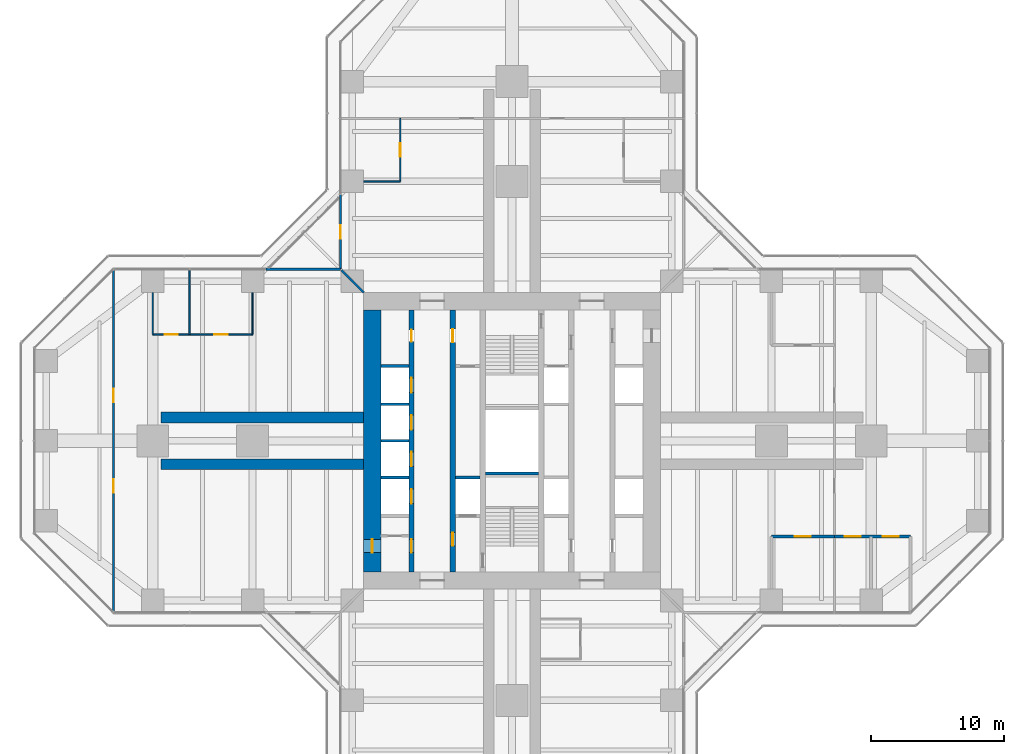
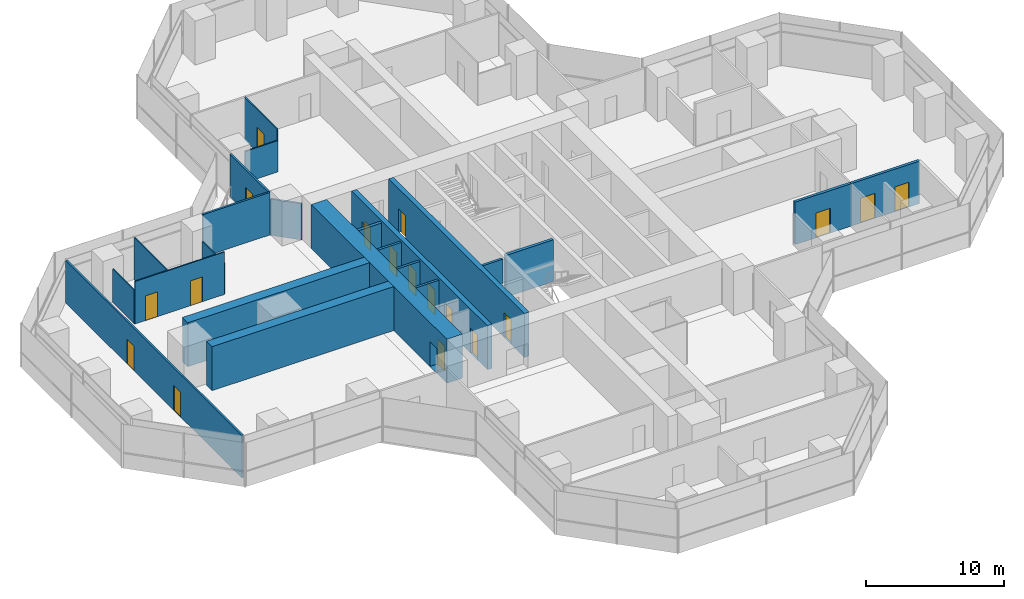
# One storey, part 18 of 22: 23 walls, 18 doors, 18 openings.
"""IFC4 building model written with IfcOpenShell, lengths in metres."""

from ifc_helpers import new_model, si_unit, direction, frame, frame_2d, origin, place, context, subcontext, project, spatial, rectangle, extrude, material, layer, layer_set, type_object, element, fill, save


model = new_model("IFC4")

# Units and contexts
model_context = context("Model", 3, precision=1e-05, world=origin(), true_north=direction((0.0, 1.0)))
body_context = subcontext(model_context, "Body", "Model", "MODEL_VIEW")
ifc_project = project(units=[si_unit("LENGTHUNIT", "METRE"), si_unit("AREAUNIT", "SQUARE_METRE"), si_unit("VOLUMEUNIT", "CUBIC_METRE"), si_unit("PLANEANGLEUNIT", "RADIAN"), si_unit("MASSUNIT", "GRAM", prefix="KILO")], contexts=[model_context])

# Site, building, storey
site_placement = place(None, origin())
site = spatial("IfcSite", under=ifc_project, at=site_placement, CompositionType="ELEMENT")
building_placement = place(site_placement, origin())
building = spatial("IfcBuilding", under=site, at=building_placement, Name="Mizan Broadcast Tower", CompositionType="ELEMENT")
storey_placement = place(building_placement, frame((0.0, 0.0, 86.39990234375)))
storey = spatial("IfcBuildingStorey", under=building, at=storey_placement, Name="L18", CompositionType="ELEMENT", Elevation=86.39990234375)

# Wall, openings, doors
ifc_material_1 = material(Name="Concrete C70/85", Category="concrete")
ifc_layer_1 = layer(ifc_material_1, 0.39990234375)
ifc_layer_set_1 = layer_set([ifc_layer_1], Name="Concrete C70/85")
wall_type_1 = type_object("IfcWallType", Name="CORE INTERNAL WALL 400", PredefinedType="SHEAR", material=ifc_layer_set_1)
wall_1_placement = place(storey_placement, frame((-7.550048828125, -9.85009765625, 0.0), z_axis=(0.0, 0.0, 1.0), x_axis=(0.0, 1.0, 0.0)))
wall_1 = element("IfcWall", 1, at=wall_1_placement, inside=storey, type_object=wall_type_1, Name="Core wall CORE/XW1", PredefinedType="SHEAR", context=body_context, shape_type="SweptSolid", body=[
    extrude(rectangle(XDim=19.7001953125, YDim=0.39990234375, at=frame_2d((9.85009765625, 0.0))), origin(), (0.0, 0.0, 1.0), 3.900146484375),
])
opening_1_placement = place(wall_1_placement, frame((1.449951171875, 0.0, 0.0)))
opening_1 = element("IfcOpeningElement", 2, at=opening_1_placement, cuts=wall_1, Name="Opening D10F", PredefinedType="OPENING", context=body_context, shape_type="SweptSolid", body=[
    extrude(rectangle(XDim=1.0, YDim=2.199951171875, at=frame_2d((0.5, 1.10009765625))), frame((0.0, 0.2099609375, 0.0), z_axis=(0.0, -1.0, 0.0), x_axis=(1.0, 0.0, 0.0)), (0.0, 0.0, 1.0), 0.419921875),
])
opening_2_placement = place(wall_1_placement, frame((17.300048828125, 0.0, 0.0)))
opening_2 = element("IfcOpeningElement", 3, at=opening_2_placement, cuts=wall_1, Name="Opening D09", PredefinedType="OPENING", context=body_context, shape_type="SweptSolid", body=[
    extrude(rectangle(XDim=0.89990234375, YDim=2.10009765625, at=frame_2d((0.449951171875, 1.050048828125))), frame((0.0, 0.2099609375, 0.0), z_axis=(0.0, -1.0, 0.0), x_axis=(1.0, 0.0, 0.0)), (0.0, 0.0, 1.0), 0.419921875),
])
opening_3_placement = place(wall_1_placement, frame((5.125, 0.0, 0.0)))
opening_3 = element("IfcOpeningElement", 4, at=opening_3_placement, cuts=wall_1, Name="Opening LD", PredefinedType="OPENING", context=body_context, shape_type="SweptSolid", body=[
    extrude(rectangle(XDim=1.10009765625, YDim=2.199951171875, at=frame_2d((0.550048828125, 1.10009765625))), frame((0.0, 0.2099609375, 0.0), z_axis=(0.0, -1.0, 0.0), x_axis=(1.0, 0.0, 0.0)), (0.0, 0.0, 1.0), 0.419921875),
])
opening_4_placement = place(wall_1_placement, frame((7.925048828125, 0.0, 0.0)))
opening_4 = element("IfcOpeningElement", 5, at=opening_4_placement, cuts=wall_1, Name="Opening LD", PredefinedType="OPENING", context=body_context, shape_type="SweptSolid", body=[
    extrude(rectangle(XDim=1.10009765625, YDim=2.199951171875, at=frame_2d((0.550048828125, 1.10009765625))), frame((0.0, 0.2099609375, 0.0), z_axis=(0.0, -1.0, 0.0), x_axis=(1.0, 0.0, 0.0)), (0.0, 0.0, 1.0), 0.419921875),
])
opening_5_placement = place(wall_1_placement, frame((10.675048828125, 0.0, 0.0)))
opening_5 = element("IfcOpeningElement", 6, at=opening_5_placement, cuts=wall_1, Name="Opening LD", PredefinedType="OPENING", context=body_context, shape_type="SweptSolid", body=[
    extrude(rectangle(XDim=1.10009765625, YDim=2.199951171875, at=frame_2d((0.550048828125, 1.10009765625))), frame((0.0, 0.2099609375, 0.0), z_axis=(0.0, -1.0, 0.0), x_axis=(1.0, 0.0, 0.0)), (0.0, 0.0, 1.0), 0.419921875),
])
opening_6_placement = place(wall_1_placement, frame((13.47509765625, 0.0, 0.0)))
opening_6 = element("IfcOpeningElement", 7, at=opening_6_placement, cuts=wall_1, Name="Opening LD", PredefinedType="OPENING", context=body_context, shape_type="SweptSolid", body=[
    extrude(rectangle(XDim=1.10009765625, YDim=2.199951171875, at=frame_2d((0.550048828125, 1.10009765625))), frame((0.0, 0.2099609375, 0.0), z_axis=(0.0, -1.0, 0.0), x_axis=(1.0, 0.0, 0.0)), (0.0, 0.0, 1.0), 0.419921875),
])
ifc_material_2 = material(Name="Steel door leaf in steel frame", Category="steel")
door_type_1 = type_object("IfcDoorType", Name="FIRE DOOR 1000 FD90", OperationType="SINGLE_SWING_LEFT", PredefinedType="DOOR", material=ifc_material_2)
door_1_placement = place(opening_1_placement, origin())
door_1 = element("IfcDoor", 8, at=door_1_placement, inside=storey, type_object=door_type_1, Name="West core passage door", OperationType="SINGLE_SWING_LEFT", OverallHeight=2.199951171875, OverallWidth=1.0, PredefinedType="DOOR", context=body_context, shape_type="SweptSolid", body=[
    extrude(rectangle(XDim=1.0, YDim=2.199951171875, at=frame_2d((0.5, 1.10009765625))), frame((0.0, 0.02490234375, 0.0), z_axis=(0.0, -1.0, 0.0), x_axis=(1.0, 0.0, 0.0)), (0.0, 0.0, 1.0), 0.050048828125),
])
fill(opening_1, door_1)
ifc_material_3 = material(Name="Steel door leaf in steel frame", Category="steel")
door_type_2 = type_object("IfcDoorType", Name="LIFT LANDING DOOR 1100", OperationType="SLIDING_TO_LEFT", PredefinedType="DOOR", material=ifc_material_3)
door_2_placement = place(opening_3_placement, origin())
door_2 = element("IfcDoor", 9, at=door_2_placement, inside=storey, type_object=door_type_2, Name="Landing door LA1", OperationType="SLIDING_TO_LEFT", OverallHeight=2.199951171875, OverallWidth=1.10009765625, PredefinedType="DOOR", context=body_context, shape_type="SweptSolid", body=[
    extrude(rectangle(XDim=1.10009765625, YDim=2.199951171875, at=frame_2d((0.550048828125, 1.10009765625))), frame((0.0, 0.02490234375, 0.0), z_axis=(0.0, -1.0, 0.0), x_axis=(1.0, 0.0, 0.0)), (0.0, 0.0, 1.0), 0.050048828125),
])
fill(opening_3, door_2)
door_3_placement = place(opening_4_placement, origin())
door_3 = element("IfcDoor", 10, at=door_3_placement, inside=storey, type_object=door_type_2, Name="Landing door LA2", OperationType="SLIDING_TO_LEFT", OverallHeight=2.199951171875, OverallWidth=1.10009765625, PredefinedType="DOOR", context=body_context, shape_type="SweptSolid", body=[
    extrude(rectangle(XDim=1.10009765625, YDim=2.199951171875, at=frame_2d((0.550048828125, 1.10009765625))), frame((0.0, 0.02490234375, 0.0), z_axis=(0.0, -1.0, 0.0), x_axis=(1.0, 0.0, 0.0)), (0.0, 0.0, 1.0), 0.050048828125),
])
fill(opening_4, door_3)
door_4_placement = place(opening_5_placement, origin())
door_4 = element("IfcDoor", 11, at=door_4_placement, inside=storey, type_object=door_type_2, Name="Landing door LA3", OperationType="SLIDING_TO_LEFT", OverallHeight=2.199951171875, OverallWidth=1.10009765625, PredefinedType="DOOR", context=body_context, shape_type="SweptSolid", body=[
    extrude(rectangle(XDim=1.10009765625, YDim=2.199951171875, at=frame_2d((0.550048828125, 1.10009765625))), frame((0.0, 0.02490234375, 0.0), z_axis=(0.0, -1.0, 0.0), x_axis=(1.0, 0.0, 0.0)), (0.0, 0.0, 1.0), 0.050048828125),
])
fill(opening_5, door_4)
door_5_placement = place(opening_6_placement, origin())
door_5 = element("IfcDoor", 12, at=door_5_placement, inside=storey, type_object=door_type_2, Name="Landing door LA4", OperationType="SLIDING_TO_LEFT", OverallHeight=2.199951171875, OverallWidth=1.10009765625, PredefinedType="DOOR", context=body_context, shape_type="SweptSolid", body=[
    extrude(rectangle(XDim=1.10009765625, YDim=2.199951171875, at=frame_2d((0.550048828125, 1.10009765625))), frame((0.0, 0.02490234375, 0.0), z_axis=(0.0, -1.0, 0.0), x_axis=(1.0, 0.0, 0.0)), (0.0, 0.0, 1.0), 0.050048828125),
])
fill(opening_6, door_5)
ifc_material_4 = material(Name="Timber door leaf in aluminium frame", Category="wood")
door_type_3 = type_object("IfcDoorType", Name="TOILET DOOR 900", OperationType="SINGLE_SWING_LEFT", PredefinedType="DOOR", material=ifc_material_4)
door_6_placement = place(opening_2_placement, origin())
door_6 = element("IfcDoor", 13, at=door_6_placement, inside=storey, type_object=door_type_3, Name="Male WC door", OperationType="SINGLE_SWING_RIGHT", OverallHeight=2.10009765625, OverallWidth=0.89990234375, PredefinedType="DOOR", context=body_context, shape_type="SweptSolid", body=[
    extrude(rectangle(XDim=0.89990234375, YDim=2.10009765625, at=frame_2d((0.449951171875, 1.050048828125))), frame((0.0, 0.02490234375, 0.0), z_axis=(0.0, -1.0, 0.0), x_axis=(1.0, 0.0, 0.0)), (0.0, 0.0, 1.0), 0.050048828125),
])
fill(opening_2, door_6)

wall_2_placement = place(storey_placement, frame((-4.449951171875, -9.85009765625, 0.0), z_axis=(0.0, 0.0, 1.0), x_axis=(0.0, 1.0, 0.0)))
wall_2 = element("IfcWall", 14, at=wall_2_placement, inside=storey, type_object=wall_type_1, Name="Core wall CORE/XWH", PredefinedType="SHEAR", context=body_context, shape_type="SweptSolid", body=[
    extrude(rectangle(XDim=19.7001953125, YDim=0.39990234375, at=frame_2d((9.85009765625, 0.0))), origin(), (0.0, 0.0, 1.0), 3.900146484375),
])
opening_7_placement = place(wall_2_placement, frame((1.949951171875, 0.0, 0.0)))
opening_7 = element("IfcOpeningElement", 15, at=opening_7_placement, cuts=wall_2, Name="Opening D10F", PredefinedType="OPENING", context=body_context, shape_type="SweptSolid", body=[
    extrude(rectangle(XDim=1.0, YDim=2.199951171875, at=frame_2d((0.5, 1.10009765625))), frame((0.0, 0.2099609375, 0.0), z_axis=(0.0, -1.0, 0.0), x_axis=(1.0, 0.0, 0.0)), (0.0, 0.0, 1.0), 0.419921875),
])
opening_8_placement = place(wall_2_placement, frame((17.25, 0.0, 0.0)))
opening_8 = element("IfcOpeningElement", 16, at=opening_8_placement, cuts=wall_2, Name="Opening D10A", PredefinedType="OPENING", context=body_context, shape_type="SweptSolid", body=[
    extrude(rectangle(XDim=1.0, YDim=2.10009765625, at=frame_2d((0.5, 1.050048828125))), frame((0.0, 0.2099609375, 0.0), z_axis=(0.0, -1.0, 0.0), x_axis=(1.0, 0.0, 0.0)), (0.0, 0.0, 1.0), 0.419921875),
])
ifc_material_5 = material(Name="Timber door leaf in aluminium frame", Category="wood")
door_type_4 = type_object("IfcDoorType", Name="ACCESSIBLE WC DOOR 1000", OperationType="SLIDING_TO_LEFT", PredefinedType="DOOR", material=ifc_material_5)
door_7_placement = place(opening_8_placement, origin())
door_7 = element("IfcDoor", 17, at=door_7_placement, inside=storey, type_object=door_type_4, Name="Accessible WC door", OperationType="SLIDING_TO_LEFT", OverallHeight=2.10009765625, OverallWidth=1.0, PredefinedType="DOOR", context=body_context, shape_type="SweptSolid", body=[
    extrude(rectangle(XDim=1.0, YDim=2.10009765625, at=frame_2d((0.5, 1.050048828125))), frame((0.0, 0.02490234375, 0.0), z_axis=(0.0, -1.0, 0.0), x_axis=(1.0, 0.0, 0.0)), (0.0, 0.0, 1.0), 0.050048828125),
])
fill(opening_8, door_7)
door_8_placement = place(opening_7_placement, origin())
door_8 = element("IfcDoor", 18, at=door_8_placement, inside=storey, type_object=door_type_1, Name="Firefighting lobby A door", OperationType="SINGLE_SWING_LEFT", OverallHeight=2.199951171875, OverallWidth=1.0, PredefinedType="DOOR", context=body_context, shape_type="SweptSolid", body=[
    extrude(rectangle(XDim=1.0, YDim=2.199951171875, at=frame_2d((0.5, 1.10009765625))), frame((0.0, 0.02490234375, 0.0), z_axis=(0.0, -1.0, 0.0), x_axis=(1.0, 0.0, 0.0)), (0.0, 0.0, 1.0), 0.050048828125),
])
fill(opening_7, door_8)

# Wall, opening, door
ifc_material_6 = material(Name="Concrete C70/85", Category="concrete")
ifc_layer_2 = layer(ifc_material_6, 1.300048828125)
ifc_layer_set_2 = layer_set([ifc_layer_2], Name="Concrete C70/85")
wall_type_2 = type_object("IfcWallType", Name="CORE WALL 1300", PredefinedType="SHEAR", material=ifc_layer_set_2)
wall_3_placement = place(storey_placement, frame((-10.5, 9.85009765625, 0.0), z_axis=(0.0, 0.0, 1.0), x_axis=(0.0, -1.0, 0.0)))
wall_3 = element("IfcWall", 19, at=wall_3_placement, inside=storey, type_object=wall_type_2, Name="Core wall W L18", PredefinedType="SHEAR", context=body_context, shape_type="SweptSolid", body=[
    extrude(rectangle(XDim=19.7001953125, YDim=1.300048828125, at=frame_2d((9.85009765625, 0.0))), origin(), (0.0, 0.0, 1.0), 3.900146484375),
])
opening_9_placement = place(wall_3_placement, frame((17.25, 0.0, 0.0)))
opening_9 = element("IfcOpeningElement", 20, at=opening_9_placement, cuts=wall_3, Name="Opening D10F", PredefinedType="OPENING", context=body_context, shape_type="SweptSolid", body=[
    extrude(rectangle(XDim=1.0, YDim=2.199951171875, at=frame_2d((0.5, 1.10009765625))), frame((0.0, 0.659912109375, 0.0), z_axis=(0.0, -1.0, 0.0), x_axis=(1.0, 0.0, 0.0)), (0.0, 0.0, 1.0), 1.320068359375),
])
door_9_placement = place(opening_9_placement, origin())
door_9 = element("IfcDoor", 21, at=door_9_placement, inside=storey, type_object=door_type_1, Name="West core passage arm door", OperationType="SINGLE_SWING_RIGHT", OverallHeight=2.199951171875, OverallWidth=1.0, PredefinedType="DOOR", context=body_context, shape_type="SweptSolid", body=[
    extrude(rectangle(XDim=1.0, YDim=2.199951171875, at=frame_2d((0.5, 1.10009765625))), frame((0.0, 0.02490234375, 0.0), z_axis=(0.0, -1.0, 0.0), x_axis=(1.0, 0.0, 0.0)), (0.0, 0.0, 1.0), 0.050048828125),
])
fill(opening_9, door_9)

ifc_material_7 = material(Name="Aluminium framed glazed screen", Category="aluminium")
ifc_layer_3 = layer(ifc_material_7, 0.159912109375)
ifc_layer_set_3 = layer_set([ifc_layer_3], Name="Aluminium framed glazed screen")
wall_type_3 = type_object("IfcWallType", Name="GLAZED SCREEN WALL 160", PredefinedType="SOLIDWALL", material=ifc_layer_set_3)
wall_4_placement = place(storey_placement, frame((-12.89990234375, 18.5, 0.0), z_axis=(0.0, 0.0, 1.0), x_axis=(0.0, -1.0, 0.0)))
wall_4 = element("IfcWall", 22, at=wall_4_placement, inside=storey, type_object=wall_type_3, Name="Winter garden screen L18 N", PredefinedType="SOLIDWALL", context=body_context, shape_type="SweptSolid", body=[
    extrude(rectangle(XDim=5.60009765625, YDim=0.159912109375, at=frame_2d((2.800048828125, 0.0))), origin(), (0.0, 0.0, 1.0), 3.77001953125),
])
opening_10_placement = place(wall_4_placement, frame((2.300048828125, 0.0, 0.0)))
opening_10 = element("IfcOpeningElement", 23, at=opening_10_placement, cuts=wall_4, Name="Opening WGD", PredefinedType="OPENING", context=body_context, shape_type="SweptSolid", body=[
    extrude(rectangle(XDim=1.0, YDim=2.199951171875, at=frame_2d((0.5, 1.10009765625))), frame((0.0, 0.08984375, 0.0), z_axis=(0.0, -1.0, 0.0), x_axis=(1.0, 0.0, 0.0)), (0.0, 0.0, 1.0), 0.179931640625),
])
ifc_material_8 = material(Name="Aluminium framed glazed door", Category="aluminium")
door_type_5 = type_object("IfcDoorType", Name="WINTER GARDEN DOOR 1000 GLAZED", OperationType="SINGLE_SWING_LEFT", PredefinedType="DOOR", material=ifc_material_8)
door_10_placement = place(opening_10_placement, origin())
door_10 = element("IfcDoor", 24, at=door_10_placement, inside=storey, type_object=door_type_5, Name="Winter garden door L18 N", OperationType="SINGLE_SWING_RIGHT", OverallHeight=2.199951171875, OverallWidth=1.0, PredefinedType="DOOR", context=body_context, shape_type="SweptSolid", body=[
    extrude(rectangle(XDim=1.0, YDim=2.199951171875, at=frame_2d((0.5, 1.10009765625))), frame((0.0, 0.02490234375, 0.0), z_axis=(0.0, -1.0, 0.0), x_axis=(1.0, 0.0, 0.0)), (0.0, 0.0, 1.0), 0.050048828125),
])
fill(opening_10, door_10)

# Walls
wall_5_placement = place(storey_placement, frame((-12.89990234375, 12.89990234375, 0.0), z_axis=(0.0, 0.0, 1.0), x_axis=(-1.0, 0.0, 0.0)))
element("IfcWall", 25, at=wall_5_placement, inside=storey, type_object=wall_type_3, Name="Winter garden screen L18 W", PredefinedType="SOLIDWALL", context=body_context, shape_type="SweptSolid", body=[
    extrude(rectangle(XDim=5.60009765625, YDim=0.159912109375, at=frame_2d((2.800048828125, 0.0))), origin(), (0.0, 0.0, 1.0), 3.77001953125),
])
ifc_material_9 = material(Name="Concrete blockwork", Category="masonry")
ifc_layer_4 = layer(ifc_material_9, 0.199951171875)
ifc_layer_set_4 = layer_set([ifc_layer_4], Name="Concrete blockwork")
wall_type_4 = type_object("IfcWallType", Name="LIFT SHAFT WALL 200", PredefinedType="SOLIDWALL", material=ifc_layer_set_4)
wall_6_placement = place(storey_placement, frame((-9.85009765625, -2.75, 0.0), z_axis=(0.0, 0.0, 1.0), x_axis=(1.0, 0.0, 0.0)))
element("IfcWall", 26, at=wall_6_placement, inside=storey, type_object=wall_type_4, Name="Lift shaft wall CORE/SW1-1", PredefinedType="SOLIDWALL", context=body_context, shape_type="SweptSolid", body=[
    extrude(rectangle(XDim=2.10009765625, YDim=0.199951171875, at=frame_2d((1.050048828125, 0.0))), origin(), (0.0, 0.0, 1.0), 3.7001953125),
])
wall_7_placement = place(storey_placement, frame((-4.25, -2.75, 0.0), z_axis=(0.0, 0.0, 1.0), x_axis=(1.0, 0.0, 0.0)))
element("IfcWall", 27, at=wall_7_placement, inside=storey, type_object=wall_type_4, Name="Lift shaft wall CORE/SW2-1", PredefinedType="SOLIDWALL", context=body_context, shape_type="SweptSolid", body=[
    extrude(rectangle(XDim=1.85009765625, YDim=0.199951171875, at=frame_2d((0.925048828125, 0.0))), origin(), (0.0, 0.0, 1.0), 3.7001953125),
])
for number, where, z_axis, x_axis, name in (
    (28, (-9.85009765625, 0.0, 0.0), (0.0, 0.0, 1.0), (1.0, 0.0, 0.0), "Lift shaft wall CORE/SW1-2"),
    (29, (-9.85009765625, 2.75, 0.0), (0.0, 0.0, 1.0), (1.0, 0.0, 0.0), "Lift shaft wall CORE/SW1-3"),
):
    element("IfcWall", number, at=place(storey_placement, frame(where, z_axis=z_axis, x_axis=x_axis)), inside=storey, type_object=wall_type_4, Name=name, PredefinedType="SOLIDWALL", context=body_context, shape_type="SweptSolid", body=[
        extrude(rectangle(XDim=2.10009765625, YDim=0.199951171875, at=frame_2d((1.050048828125, 0.0))), origin(), (0.0, 0.0, 1.0), 3.7001953125),
    ])
ifc_material_10 = material(Name="Concrete blockwork", Category="masonry")
ifc_layer_5 = layer(ifc_material_10, 0.25)
ifc_layer_set_5 = layer_set([ifc_layer_5], Name="Concrete blockwork")
wall_type_5 = type_object("IfcWallType", Name="LOBBY ENCLOSURE WALL 250", PredefinedType="SOLIDWALL", material=ifc_layer_set_5)
wall_8_placement = place(storey_placement, frame((-9.85009765625, 5.625, 0.0), z_axis=(0.0, 0.0, 1.0), x_axis=(1.0, 0.0, 0.0)))
element("IfcWall", 30, at=wall_8_placement, inside=storey, type_object=wall_type_5, Name="Lobby enclosure wall CORE/BW1N", PredefinedType="SOLIDWALL", context=body_context, shape_type="SweptSolid", body=[
    extrude(rectangle(XDim=2.10009765625, YDim=0.25, at=frame_2d((1.050048828125, 0.0))), origin(), (0.0, 0.0, 1.0), 3.7001953125),
])
wall_9_placement = place(storey_placement, frame((-2.0, -2.449951171875, 0.0), z_axis=(0.0, 0.0, 1.0), x_axis=(1.0, 0.0, 0.0)))
element("IfcWall", 31, at=wall_9_placement, inside=storey, type_object=wall_type_5, Name="Lobby enclosure wall CORE/STA", PredefinedType="SOLIDWALL", context=body_context, shape_type="SweptSolid", body=[
    extrude(rectangle(XDim=4.0, YDim=0.25, at=frame_2d((2.0, 0.0))), origin(), (0.0, 0.0, 1.0), 3.7001953125),
])

# Wall, openings, doors
ifc_material_11 = material(Name="Gypsum board on steel studs", Category="steel")
ifc_layer_6 = layer(ifc_material_11, 0.14990234375)
ifc_layer_set_6 = layer_set([ifc_layer_6], Name="Gypsum board on steel studs")
wall_type_6 = type_object("IfcWallType", Name="PARTITION 150", PredefinedType="PARTITIONING", material=ifc_layer_set_6)
wall_10_placement = place(storey_placement, frame((-29.958984375, 12.786376953125, 0.0), z_axis=(0.0, 0.0, 1.0), x_axis=(0.0, -1.0, 0.0)))
wall_10 = element("IfcWall", 32, at=wall_10_placement, inside=storey, type_object=wall_type_6, Name="Partition PT/WX1", PredefinedType="PARTITIONING", context=body_context, shape_type="SweptSolid", body=[
    extrude(rectangle(XDim=25.57275390625, YDim=0.14990234375, at=frame_2d((12.786376953125, 0.0))), origin(), (0.0, 0.0, 1.0), 3.77001953125),
])
opening_11_placement = place(wall_10_placement, frame((15.6865234375, 0.0, 0.0)))
opening_11 = element("IfcOpeningElement", 33, at=opening_11_placement, cuts=wall_10, Name="Opening D10", PredefinedType="OPENING", context=body_context, shape_type="SweptSolid", body=[
    extrude(rectangle(XDim=1.0, YDim=2.199951171875, at=frame_2d((0.5, 1.10009765625))), frame((0.0, 0.0849609375, 0.0), z_axis=(0.0, -1.0, 0.0), x_axis=(1.0, 0.0, 0.0)), (0.0, 0.0, 1.0), 0.169921875),
])
opening_12_placement = place(wall_10_placement, frame((8.886474609375, 0.0, 0.0)))
opening_12 = element("IfcOpeningElement", 34, at=opening_12_placement, cuts=wall_10, Name="Opening D10", PredefinedType="OPENING", context=body_context, shape_type="SweptSolid", body=[
    extrude(rectangle(XDim=1.0, YDim=2.199951171875, at=frame_2d((0.5, 1.10009765625))), frame((0.0, 0.0849609375, 0.0), z_axis=(0.0, -1.0, 0.0), x_axis=(1.0, 0.0, 0.0)), (0.0, 0.0, 1.0), 0.169921875),
])
ifc_material_12 = material(Name="Timber door leaf in aluminium frame", Category="wood")
door_type_6 = type_object("IfcDoorType", Name="ROOM DOOR 1000", OperationType="SINGLE_SWING_LEFT", PredefinedType="DOOR", material=ifc_material_12)
door_11_placement = place(opening_11_placement, origin())
door_11 = element("IfcDoor", 35, at=door_11_placement, inside=storey, type_object=door_type_6, Name="Screening room door", OperationType="SINGLE_SWING_RIGHT", OverallHeight=2.199951171875, OverallWidth=1.0, PredefinedType="DOOR", context=body_context, shape_type="SweptSolid", body=[
    extrude(rectangle(XDim=1.0, YDim=2.199951171875, at=frame_2d((0.5, 1.10009765625))), frame((0.0, 0.02490234375, 0.0), z_axis=(0.0, -1.0, 0.0), x_axis=(1.0, 0.0, 0.0)), (0.0, 0.0, 1.0), 0.050048828125),
])
fill(opening_11, door_11)
door_12_placement = place(opening_12_placement, origin())
door_12 = element("IfcDoor", 36, at=door_12_placement, inside=storey, type_object=door_type_6, Name="Screening room door", OperationType="SINGLE_SWING_LEFT", OverallHeight=2.199951171875, OverallWidth=1.0, PredefinedType="DOOR", context=body_context, shape_type="SweptSolid", body=[
    extrude(rectangle(XDim=1.0, YDim=2.199951171875, at=frame_2d((0.5, 1.10009765625))), frame((0.0, 0.02490234375, 0.0), z_axis=(0.0, -1.0, 0.0), x_axis=(1.0, 0.0, 0.0)), (0.0, 0.0, 1.0), 0.050048828125),
])
fill(opening_12, door_12)

# Wall
wall_11_placement = place(storey_placement, frame((-11.14990234375, 11.14990234375, 0.0), z_axis=(0.0, 0.0, 1.0), x_axis=(-0.707106781187, 0.707106781187, 0.0)))
element("IfcWall", 37, at=wall_11_placement, inside=storey, type_object=wall_type_6, Name="Partition PT/DGWN", PredefinedType="PARTITIONING", context=body_context, shape_type="SweptSolid", body=[
    extrude(rectangle(XDim=2.362060546875, YDim=0.14990234375, at=frame_2d((1.18115234375, 0.0))), origin(), (0.0, 0.0, 1.0), 3.22021484375),
])

# Wall, opening, door
ifc_material_13 = material(Name="Twin steel stud acoustic partition, four layers of gypsum board", Category="steel")
ifc_layer_7 = layer(ifc_material_13, 0.22509765625)
ifc_layer_set_7 = layer_set([ifc_layer_7], Name="Twin steel stud acoustic partition, four layers of gypsum board")
wall_type_7 = type_object("IfcWallType", Name="PARTITION ACOUSTIC 225", PredefinedType="PARTITIONING", material=ifc_layer_set_7)
wall_12_placement = place(storey_placement, frame((19.5, -7.199951171875, 0.0), z_axis=(0.0, 0.0, 1.0), x_axis=(1.0, 0.0, 0.0)))
wall_12 = element("IfcWall", 38, at=wall_12_placement, inside=storey, type_object=wall_type_7, Name="Acoustic partition PT/ECN0", PredefinedType="PARTITIONING", context=body_context, shape_type="SweptSolid", body=[
    extrude(rectangle(XDim=4.72900390625, YDim=0.22509765625, at=frame_2d((2.364501953125, 0.0))), origin(), (0.0, 0.0, 1.0), 3.77001953125),
])
opening_13_placement = place(wall_12_placement, frame((1.764404296875, 0.0, 0.0)))
opening_13 = element("IfcOpeningElement", 39, at=opening_13_placement, cuts=wall_12, Name="Opening D12A", PredefinedType="OPENING", context=body_context, shape_type="SweptSolid", body=[
    extrude(rectangle(XDim=1.199951171875, YDim=2.199951171875, at=frame_2d((0.60009765625, 1.10009765625))), frame((0.0, 0.12255859375, 0.0), z_axis=(0.0, -1.0, 0.0), x_axis=(1.0, 0.0, 0.0)), (0.0, 0.0, 1.0), 0.2451171875),
])
ifc_material_14 = material(Name="Timber door leaf in aluminium frame", Category="wood")
door_type_7 = type_object("IfcDoorType", Name="ACOUSTIC DOOR 1200", OperationType="SINGLE_SWING_LEFT", PredefinedType="DOOR", material=ifc_material_14)
door_13_placement = place(opening_13_placement, origin())
door_13 = element("IfcDoor", 40, at=door_13_placement, inside=storey, type_object=door_type_7, Name="Commissioning editor's office door", OperationType="SINGLE_SWING_LEFT", OverallHeight=2.199951171875, OverallWidth=1.199951171875, PredefinedType="DOOR", context=body_context, shape_type="SweptSolid", body=[
    extrude(rectangle(XDim=1.199951171875, YDim=2.199951171875, at=frame_2d((0.60009765625, 1.10009765625))), frame((0.0, 0.02490234375, 0.0), z_axis=(0.0, -1.0, 0.0), x_axis=(1.0, 0.0, 0.0)), (0.0, 0.0, 1.0), 0.050048828125),
])
fill(opening_13, door_13)

# Wall, openings, doors
wall_13_placement = place(storey_placement, frame((24.22900390625, -7.199951171875, 0.0), z_axis=(0.0, 0.0, 1.0), x_axis=(1.0, 0.0, 0.0)))
wall_13 = element("IfcWall", 41, at=wall_13_placement, inside=storey, type_object=wall_type_7, Name="Acoustic partition PT/ECN1", PredefinedType="PARTITIONING", context=body_context, shape_type="SweptSolid", body=[
    extrude(rectangle(XDim=5.72998046875, YDim=0.22509765625, at=frame_2d((2.864990234375, 0.0))), origin(), (0.0, 0.0, 1.0), 3.77001953125),
])
opening_14_placement = place(wall_13_placement, frame((0.785400390625, 0.0, 0.0)))
opening_14 = element("IfcOpeningElement", 42, at=opening_14_placement, cuts=wall_13, Name="Opening D12A", PredefinedType="OPENING", context=body_context, shape_type="SweptSolid", body=[
    extrude(rectangle(XDim=1.199951171875, YDim=2.199951171875, at=frame_2d((0.60009765625, 1.10009765625))), frame((0.0, 0.12255859375, 0.0), z_axis=(0.0, -1.0, 0.0), x_axis=(1.0, 0.0, 0.0)), (0.0, 0.0, 1.0), 0.2451171875),
])
opening_15_placement = place(wall_13_placement, frame((3.650390625, 0.0, 0.0)))
opening_15 = element("IfcOpeningElement", 43, at=opening_15_placement, cuts=wall_13, Name="Opening D12A", PredefinedType="OPENING", context=body_context, shape_type="SweptSolid", body=[
    extrude(rectangle(XDim=1.199951171875, YDim=2.199951171875, at=frame_2d((0.60009765625, 1.10009765625))), frame((0.0, 0.12255859375, 0.0), z_axis=(0.0, -1.0, 0.0), x_axis=(1.0, 0.0, 0.0)), (0.0, 0.0, 1.0), 0.2451171875),
])
door_14_placement = place(opening_14_placement, origin())
door_14 = element("IfcDoor", 44, at=door_14_placement, inside=storey, type_object=door_type_7, Name="Office door", OperationType="SINGLE_SWING_LEFT", OverallHeight=2.199951171875, OverallWidth=1.199951171875, PredefinedType="DOOR", context=body_context, shape_type="SweptSolid", body=[
    extrude(rectangle(XDim=1.199951171875, YDim=2.199951171875, at=frame_2d((0.60009765625, 1.10009765625))), frame((0.0, 0.02490234375, 0.0), z_axis=(0.0, -1.0, 0.0), x_axis=(1.0, 0.0, 0.0)), (0.0, 0.0, 1.0), 0.050048828125),
])
fill(opening_14, door_14)
door_15_placement = place(opening_15_placement, origin())
door_15 = element("IfcDoor", 45, at=door_15_placement, inside=storey, type_object=door_type_7, Name="Office door", OperationType="SINGLE_SWING_RIGHT", OverallHeight=2.199951171875, OverallWidth=1.199951171875, PredefinedType="DOOR", context=body_context, shape_type="SweptSolid", body=[
    extrude(rectangle(XDim=1.199951171875, YDim=2.199951171875, at=frame_2d((0.60009765625, 1.10009765625))), frame((0.0, 0.02490234375, 0.0), z_axis=(0.0, -1.0, 0.0), x_axis=(1.0, 0.0, 0.0)), (0.0, 0.0, 1.0), 0.050048828125),
])
fill(opening_15, door_15)

# Wall, opening, door
ifc_material_15 = material(Name="Glazed aluminium partition on aluminium track", Category="aluminium")
ifc_layer_8 = layer(ifc_material_15, 0.10009765625)
ifc_layer_set_8 = layer_set([ifc_layer_8], Name="Glazed aluminium partition on aluminium track")
wall_type_8 = type_object("IfcWallType", Name="PARTITION GLAZED OFFICE FRONT 100", PredefinedType="PARTITIONING", material=ifc_layer_set_8)
wall_14_placement = place(storey_placement, frame((-8.39990234375, 19.5, 0.0), z_axis=(0.0, 0.0, 1.0), x_axis=(0.0, 1.0, 0.0)))
wall_14 = element("IfcWall", 46, at=wall_14_placement, inside=storey, type_object=wall_type_8, Name="Glazed office front PT/NCP0", PredefinedType="PARTITIONING", context=body_context, shape_type="SweptSolid", body=[
    extrude(rectangle(XDim=4.72900390625, YDim=0.10009765625, at=frame_2d((2.364501953125, 0.0))), origin(), (0.0, 0.0, 1.0), 3.77001953125),
])
opening_16_placement = place(wall_14_placement, frame((1.864501953125, 0.0, 0.0)))
opening_16 = element("IfcOpeningElement", 47, at=opening_16_placement, cuts=wall_14, Name="Opening D10O", PredefinedType="OPENING", context=body_context, shape_type="SweptSolid", body=[
    extrude(rectangle(XDim=1.0, YDim=2.199951171875, at=frame_2d((0.5, 1.10009765625))), frame((0.0, 0.06005859375, 0.0), z_axis=(0.0, -1.0, 0.0), x_axis=(1.0, 0.0, 0.0)), (0.0, 0.0, 1.0), 0.1201171875),
])
ifc_material_16 = material(Name="Timber door leaf in aluminium frame", Category="wood")
door_type_8 = type_object("IfcDoorType", Name="OFFICE DOOR 1000 GLAZED", OperationType="SINGLE_SWING_LEFT", PredefinedType="DOOR", material=ifc_material_16)
door_16_placement = place(opening_16_placement, origin())
door_16 = element("IfcDoor", 48, at=door_16_placement, inside=storey, type_object=door_type_8, Name="Office door", OperationType="SINGLE_SWING_LEFT", OverallHeight=2.199951171875, OverallWidth=1.0, PredefinedType="DOOR", context=body_context, shape_type="SweptSolid", body=[
    extrude(rectangle(XDim=1.0, YDim=2.199951171875, at=frame_2d((0.5, 1.10009765625))), frame((0.0, 0.02490234375, 0.0), z_axis=(0.0, -1.0, 0.0), x_axis=(1.0, 0.0, 0.0)), (0.0, 0.0, 1.0), 0.050048828125),
])
fill(opening_16, door_16)

# Wall
wall_15_placement = place(storey_placement, frame((-8.39990234375, 19.5, 0.0), z_axis=(0.0, 0.0, 1.0), x_axis=(-1.0, 0.0, 0.0)))
element("IfcWall", 49, at=wall_15_placement, inside=storey, type_object=wall_type_8, Name="Glazed office front PT/NQP1950", PredefinedType="PARTITIONING", context=body_context, shape_type="SweptSolid", body=[
    extrude(rectangle(XDim=2.75, YDim=0.10009765625, at=frame_2d((1.375, 0.0))), origin(), (0.0, 0.0, 1.0), 2.77001953125),
])

# Wall, openings, doors
wall_16_placement = place(storey_placement, frame((-19.5, 8.0, 0.0), z_axis=(0.0, 0.0, 1.0), x_axis=(-1.0, 0.0, 0.0)))
wall_16 = element("IfcWall", 50, at=wall_16_placement, inside=storey, type_object=wall_type_8, Name="Glazed office front PT/WCN0", PredefinedType="PARTITIONING", context=body_context, shape_type="SweptSolid", body=[
    extrude(rectangle(XDim=7.5, YDim=0.10009765625, at=frame_2d((3.75, 0.0))), origin(), (0.0, 0.0, 1.0), 3.77001953125),
])
opening_17_placement = place(wall_16_placement, frame((1.864501953125, 0.0, 0.0)))
opening_17 = element("IfcOpeningElement", 51, at=opening_17_placement, cuts=wall_16, Name="Opening D10O", PredefinedType="OPENING", context=body_context, shape_type="SweptSolid", body=[
    extrude(rectangle(XDim=1.0, YDim=2.199951171875, at=frame_2d((0.5, 1.10009765625))), frame((0.0, 0.06005859375, 0.0), z_axis=(0.0, -1.0, 0.0), x_axis=(1.0, 0.0, 0.0)), (0.0, 0.0, 1.0), 0.1201171875),
])
opening_18_placement = place(wall_16_placement, frame((5.614501953125, 0.0, 0.0)))
opening_18 = element("IfcOpeningElement", 52, at=opening_18_placement, cuts=wall_16, Name="Opening D10O", PredefinedType="OPENING", context=body_context, shape_type="SweptSolid", body=[
    extrude(rectangle(XDim=1.0, YDim=2.199951171875, at=frame_2d((0.5, 1.10009765625))), frame((0.0, 0.06005859375, 0.0), z_axis=(0.0, -1.0, 0.0), x_axis=(1.0, 0.0, 0.0)), (0.0, 0.0, 1.0), 0.1201171875),
])
door_17_placement = place(opening_17_placement, origin())
door_17 = element("IfcDoor", 53, at=door_17_placement, inside=storey, type_object=door_type_8, Name="Office door", OperationType="SINGLE_SWING_LEFT", OverallHeight=2.199951171875, OverallWidth=1.0, PredefinedType="DOOR", context=body_context, shape_type="SweptSolid", body=[
    extrude(rectangle(XDim=1.0, YDim=2.199951171875, at=frame_2d((0.5, 1.10009765625))), frame((0.0, 0.02490234375, 0.0), z_axis=(0.0, -1.0, 0.0), x_axis=(1.0, 0.0, 0.0)), (0.0, 0.0, 1.0), 0.050048828125),
])
fill(opening_17, door_17)
door_18_placement = place(opening_18_placement, origin())
door_18 = element("IfcDoor", 54, at=door_18_placement, inside=storey, type_object=door_type_8, Name="Office door", OperationType="SINGLE_SWING_RIGHT", OverallHeight=2.199951171875, OverallWidth=1.0, PredefinedType="DOOR", context=body_context, shape_type="SweptSolid", body=[
    extrude(rectangle(XDim=1.0, YDim=2.199951171875, at=frame_2d((0.5, 1.10009765625))), frame((0.0, 0.02490234375, 0.0), z_axis=(0.0, -1.0, 0.0), x_axis=(1.0, 0.0, 0.0)), (0.0, 0.0, 1.0), 0.050048828125),
])
fill(opening_18, door_18)

# Walls
wall_17_placement = place(storey_placement, frame((-19.5, 8.0, 0.0), z_axis=(0.0, 0.0, 1.0), x_axis=(0.0, 1.0, 0.0)))
element("IfcWall", 55, at=wall_17_placement, inside=storey, type_object=wall_type_8, Name="Glazed office front PT/WQN1950", PredefinedType="PARTITIONING", context=body_context, shape_type="SweptSolid", body=[
    extrude(rectangle(XDim=3.14990234375, YDim=0.10009765625, at=frame_2d((1.574951171875, 0.0))), origin(), (0.0, 0.0, 1.0), 2.77001953125),
])
wall_18_placement = place(storey_placement, frame((-24.22900390625, 8.0, 0.0), z_axis=(0.0, 0.0, 1.0), x_axis=(0.0, 1.0, 0.0)))
element("IfcWall", 56, at=wall_18_placement, inside=storey, type_object=wall_type_8, Name="Glazed office front PT/WQN2423", PredefinedType="PARTITIONING", context=body_context, shape_type="SweptSolid", body=[
    extrude(rectangle(XDim=4.820068359375, YDim=0.10009765625, at=frame_2d((2.41015625, 0.0))), origin(), (0.0, 0.0, 1.0), 3.77001953125),
])
wall_19_placement = place(storey_placement, frame((-27.0, 8.0, 0.0), z_axis=(0.0, 0.0, 1.0), x_axis=(0.0, 1.0, 0.0)))
element("IfcWall", 57, at=wall_19_placement, inside=storey, type_object=wall_type_8, Name="Glazed office front PT/WQN2700", PredefinedType="PARTITIONING", context=body_context, shape_type="SweptSolid", body=[
    extrude(rectangle(XDim=3.14990234375, YDim=0.10009765625, at=frame_2d((1.574951171875, 0.0))), origin(), (0.0, 0.0, 1.0), 2.97021484375),
])
ifc_material_17 = material(Name="Concrete C70/85", Category="concrete")
ifc_layer_9 = layer(ifc_material_17, 0.800048828125)
ifc_layer_set_9 = layer_set([ifc_layer_9], Name="Concrete C70/85")
wall_type_9 = type_object("IfcWallType", Name="SPINE WALL 800", PredefinedType="SHEAR", material=ifc_layer_set_9)
for number, where, z_axis, x_axis, name in (
    (58, (-11.14990234375, 1.75, 0.0), (0.0, 0.0, 1.0), (-1.0, 0.0, 0.0), "Spine wall WR L18"),
    (59, (-11.14990234375, -1.75, 0.0), (0.0, 0.0, 1.0), (-1.0, 0.0, 0.0), "Spine wall WL L18"),
):
    element("IfcWall", number, at=place(storey_placement, frame(where, z_axis=z_axis, x_axis=x_axis)), inside=storey, type_object=wall_type_9, Name=name, PredefinedType="SHEAR", context=body_context, shape_type="SweptSolid", body=[
        extrude(rectangle(XDim=15.25, YDim=0.800048828125, at=frame_2d((7.625, 0.0))), origin(), (0.0, 0.0, 1.0), 3.900146484375),
    ])

save(model, "model.ifc")
